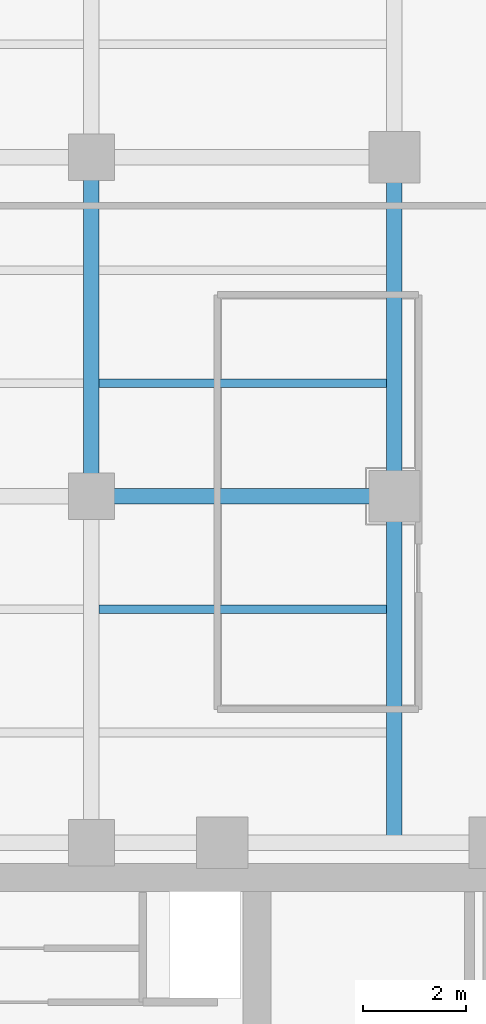
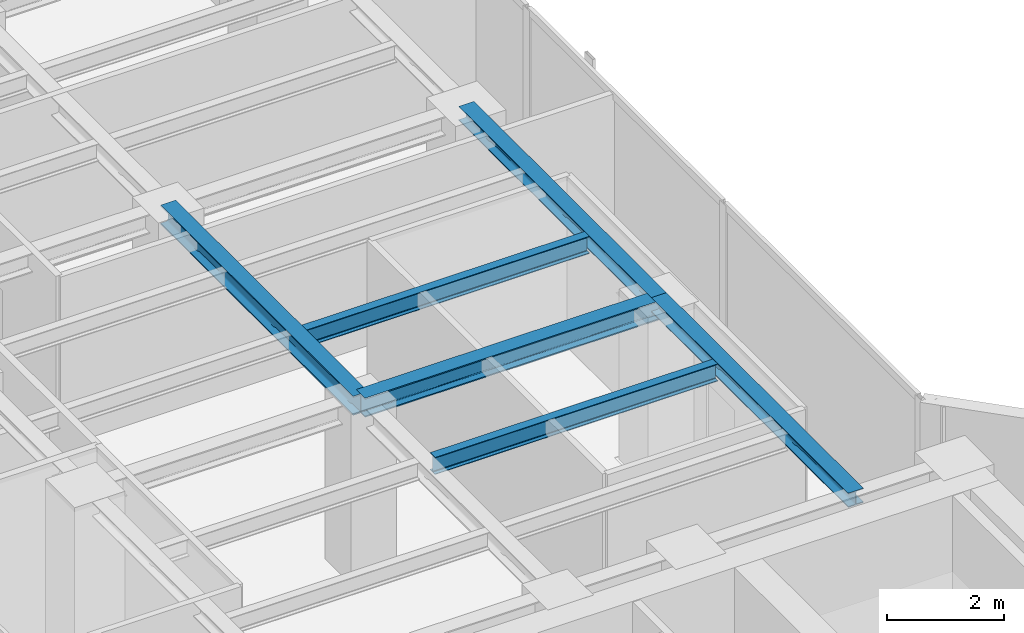
# One storey, part 9 of 24: 6 beams.
"""IFC4 building model written with IfcOpenShell, lengths in metres."""

from ifc_helpers import new_model, si_unit, direction, frame, origin, origin_2d, place, context, subcontext, project, spatial, i_section, extrude, material, material_profile, profile_set, type_object, element, save


model = new_model("IFC4")

# Units and contexts
model_context = context("Model", 3, precision=1e-05, world=origin(), true_north=direction((0.0, 1.0)))
body_context = subcontext(model_context, "Body", "Model", "MODEL_VIEW")
ifc_project = project(units=[si_unit("LENGTHUNIT", "METRE"), si_unit("AREAUNIT", "SQUARE_METRE"), si_unit("VOLUMEUNIT", "CUBIC_METRE"), si_unit("PLANEANGLEUNIT", "RADIAN"), si_unit("MASSUNIT", "GRAM", prefix="KILO")], contexts=[model_context])

# Site, building, storey
site_placement = place(None, origin())
site = spatial("IfcSite", under=ifc_project, at=site_placement, CompositionType="ELEMENT")
building_placement = place(site_placement, origin())
building = spatial("IfcBuilding", under=site, at=building_placement, Name="Kolvaren Waterfront Exchange", CompositionType="ELEMENT")
storey_placement = place(building_placement, frame((0.0, 0.0, 208.300048828125)))
storey = spatial("IfcBuildingStorey", under=building, at=storey_placement, Name="L53", CompositionType="ELEMENT", Elevation=208.300048828125)

# Beams
ifc_material = material(Name="Steel S355", Category="steel")
ifc_material_profile_1 = material_profile(ifc_material, i_section(OverallWidth=0.300048828125, OverallDepth=0.300048828125, WebThickness=0.010986328125, FlangeThickness=0.01904296875, FilletRadius=0.027099609375, at=origin_2d()), Name="HEB300")
ifc_profile_set_1 = profile_set([ifc_material_profile_1], Name="Steel S355")
beam_type_1 = type_object("IfcBeamType", Name="STR-BM-HEB300", PredefinedType="SPANDREL", material=ifc_profile_set_1)
beam_1_placement = place(storey_placement, frame((18.800048828125, 24.449951171875, 3.409912109375), z_axis=(0.0, 1.0, 0.0), x_axis=(-1.0, 0.0, 0.0)))
element("IfcBeam", 1, at=beam_1_placement, inside=storey, type_object=beam_type_1, Name="L53 north-arm edge beam 1", PredefinedType="SPANDREL", context=body_context, shape_type="SweptSolid", body=[
    extrude(i_section(OverallWidth=0.300048828125, OverallDepth=0.300048828125, WebThickness=0.010986328125, FlangeThickness=0.01904296875, FilletRadius=0.027099609375, at=origin_2d()), origin(), (0.0, 0.0, 1.0), 6.75),
])
beam_2_placement = place(storey_placement, frame((18.800048828125, 31.199951171875, 3.409912109375), z_axis=(0.0, 1.0, 0.0), x_axis=(-1.0, 0.0, 0.0)))
element("IfcBeam", 2, at=beam_2_placement, inside=storey, type_object=beam_type_1, Name="L53 north-arm edge beam 2", PredefinedType="SPANDREL", context=body_context, shape_type="SweptSolid", body=[
    extrude(i_section(OverallWidth=0.300048828125, OverallDepth=0.300048828125, WebThickness=0.010986328125, FlangeThickness=0.01904296875, FilletRadius=0.027099609375, at=origin_2d()), origin(), (0.0, 0.0, 1.0), 6.60009765625),
])
ifc_material_profile_2 = material_profile(ifc_material, i_section(OverallWidth=0.300048828125, OverallDepth=0.39990234375, WebThickness=0.013427734375, FlangeThickness=0.02392578125, FilletRadius=0.027099609375, at=origin_2d()), Name="HEB400")
ifc_profile_set_2 = profile_set([ifc_material_profile_2], Name="Steel S355")
beam_type_2 = type_object("IfcBeamType", Name="STR-BM-HEB400", PredefinedType="BEAM", material=ifc_profile_set_2)
beam_3_placement = place(storey_placement, frame((12.89990234375, 31.199951171875, 3.35986328125), z_axis=(1.0, 0.0, 0.0), x_axis=(0.0, 1.0, 0.0)))
element("IfcBeam", 3, at=beam_3_placement, inside=storey, type_object=beam_type_2, Name="L53 north-arm girder 2B", PredefinedType="BEAM", context=body_context, shape_type="SweptSolid", body=[
    extrude(i_section(OverallWidth=0.300048828125, OverallDepth=0.39990234375, WebThickness=0.013427734375, FlangeThickness=0.02392578125, FilletRadius=0.027099609375, at=origin_2d()), origin(), (0.0, 0.0, 1.0), 5.900146484375),
])
beam_4_placement = place(storey_placement, frame((12.89990234375, 31.199951171875, 3.35986328125), z_axis=(0.0, 1.0, 0.0), x_axis=(-1.0, 0.0, 0.0)))
element("IfcBeam", 4, at=beam_4_placement, inside=storey, type_object=beam_type_2, Name="L53 north-arm edge beam 2", PredefinedType="BEAM", context=body_context, shape_type="SweptSolid", body=[
    extrude(i_section(OverallWidth=0.300048828125, OverallDepth=0.39990234375, WebThickness=0.013427734375, FlangeThickness=0.02392578125, FilletRadius=0.027099609375, at=origin_2d()), origin(), (0.0, 0.0, 1.0), 6.60009765625),
])
ifc_material_profile_3 = material_profile(ifc_material, i_section(OverallWidth=0.169921875, OverallDepth=0.360107421875, WebThickness=0.008056640625, FlangeThickness=0.0126953125, FilletRadius=0.01806640625, at=origin_2d()), Name="IPE360")
ifc_profile_set_3 = profile_set([ifc_material_profile_3], Name="Steel S355")
beam_type_3 = type_object("IfcBeamType", Name="STR-BM-IPE360", PredefinedType="JOIST", material=ifc_profile_set_3)
for number, where, z_axis, x_axis, name in (
    (5, (13.052001953125, 29.0, 3.3798828125), (1.0, 0.0, 0.0), (0.0, 1.0, 0.0), "L53 north-arm composite joist 2B"),
    (6, (13.052001953125, 33.39990234375, 3.3798828125), (1.0, 0.0, 0.0), (0.0, 1.0, 0.0), "L53 north-arm composite joist 3B"),
):
    element("IfcBeam", number, at=place(storey_placement, frame(where, z_axis=z_axis, x_axis=x_axis)), inside=storey, type_object=beam_type_3, Name=name, PredefinedType="JOIST", context=body_context, shape_type="SweptSolid", body=[
        extrude(i_section(OverallWidth=0.169921875, OverallDepth=0.360107421875, WebThickness=0.008056640625, FlangeThickness=0.0126953125, FilletRadius=0.01806640625, at=origin_2d()), origin(), (0.0, 0.0, 1.0), 5.595947265625),
    ])

save(model, "model.ifc")
